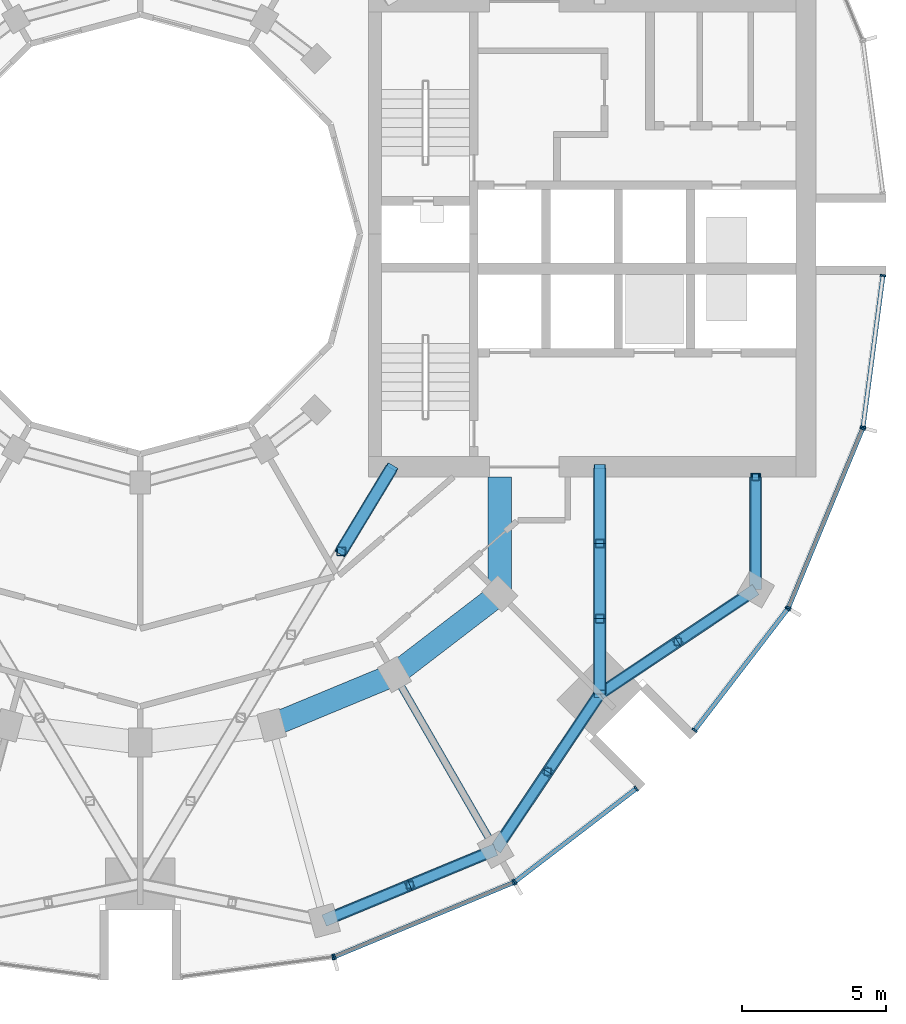
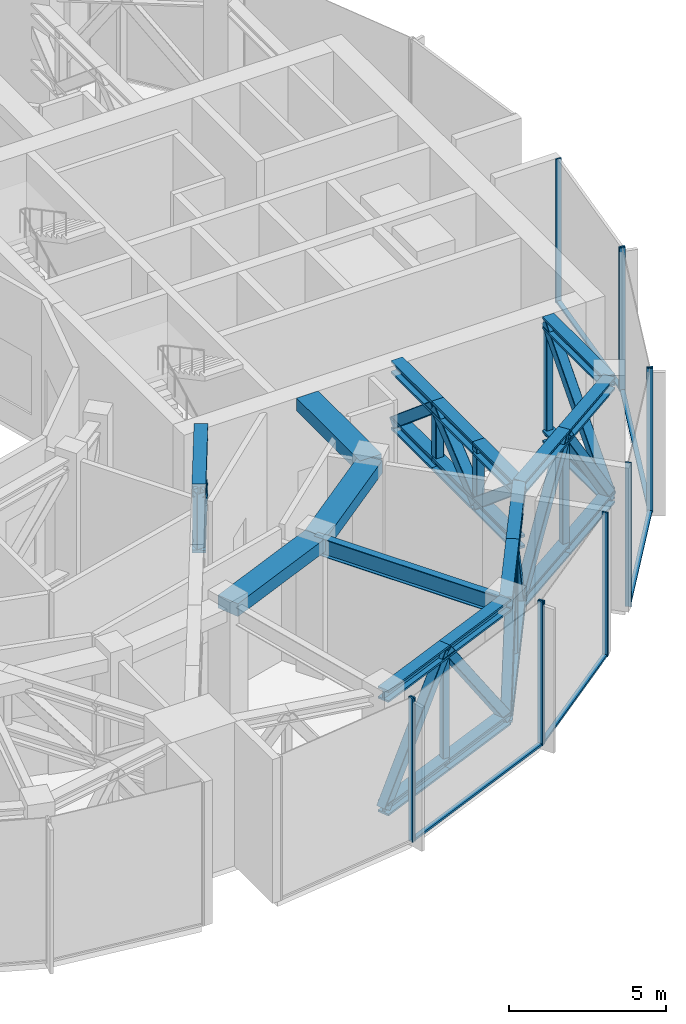
# One storey, part 5 of 18: 56 members, 4 beams, 6 elements without a shape of their own.
"""IFC4 building model written with IfcOpenShell, lengths in metres."""

import ifcopenshell
import ifcopenshell.guid

model = None  # the IFC model being written
_history = None  # IfcOwnerHistory: only IFC2X3 demands one
_inside = {}  # id of a spatial element -> (the spatial element, [elements in it])
_under = {}  # id of a project, library or spatial element -> (it, [spatial elements below it])
_declared = {}  # id of a project -> (the project, [libraries it declares])
_typed = {}  # id of a type object -> (the type object, [elements of that type])
_made_of = {}  # id of a material, layer set ... -> (it, [elements and type objects made of it])


def new_model(schema):
    """Start an empty IFC model of exactly this schema.

    Asked for "IFC4X3", IfcOpenShell would pick the latest addendum, in which some entities
    have other attributes; the version numbers below select the first issue.
    IFC2X3 requires an IfcOwnerHistory on every rooted entity: one is made here for all.
    """
    global model, _history
    if schema == "IFC4X3":
        model = ifcopenshell.file(schema_version=(4, 3, 0, 0))
    else:
        model = ifcopenshell.file(schema=schema)
    _inside.clear()
    _under.clear()
    _declared.clear()
    _typed.clear()
    _made_of.clear()
    _history = None
    if model.schema == "IFC2X3":
        org = make("IfcOrganization", Name="unknown")
        user = make(
            "IfcPersonAndOrganization",
            ThePerson=make("IfcPerson", FamilyName="unknown"),
            TheOrganization=org,
        )
        app = make(
            "IfcApplication",
            ApplicationDeveloper=org,
            Version="unknown",
            ApplicationFullName="unknown",
            ApplicationIdentifier="unknown",
        )
        _history = make(
            "IfcOwnerHistory",
            OwningUser=user,
            OwningApplication=app,
            ChangeAction="ADDED",
            CreationDate=0,
        )
    return model


def make(cls, **values):
    """One entity of the class cls with the attributes given. An attribute that is None is left unset."""
    return model.create_entity(
        cls, **{name: value for name, value in values.items() if value is not None}
    )


def rooted(cls, **values):
    """An entity with a GlobalId (a new one), such as an element, a storey or a relation."""
    return make(cls, GlobalId=ifcopenshell.guid.new(), OwnerHistory=_history, **values)


def si_unit(unit_type, name, prefix=None):
    """IfcSIUnit, for example si_unit("LENGTHUNIT", "METRE", prefix="MILLI")."""
    return make("IfcSIUnit", UnitType=unit_type, Prefix=prefix, Name=name)


def assignment(units):
    """IfcUnitAssignment: the units of a project."""
    return None if units is None else make("IfcUnitAssignment", Units=units)


def point(xyz):
    """IfcCartesianPoint."""
    return None if xyz is None else make("IfcCartesianPoint", Coordinates=xyz)


def direction(xyz):
    """IfcDirection."""
    return None if xyz is None else make("IfcDirection", DirectionRatios=xyz)


def frame(location, z_axis=None, x_axis=None):
    """IfcAxis2Placement3D, a coordinate frame: its origin and axes. An axis left out is left unset."""
    return make(
        "IfcAxis2Placement3D",
        Location=point(location),
        Axis=direction(z_axis),
        RefDirection=direction(x_axis),
    )


def frame_2d(location, x_axis=None):
    """IfcAxis2Placement2D, a coordinate frame in the plane: its origin and x axis."""
    return make(
        "IfcAxis2Placement2D", Location=point(location), RefDirection=direction(x_axis)
    )


def origin():
    """The frame at (0, 0, 0) with its axes left unset."""
    return frame((0.0, 0.0, 0.0))


def origin_2d():
    """The frame at (0, 0) in the plane with its x axis left unset."""
    return frame_2d((0.0, 0.0))


def place(relative_to, where):
    """IfcLocalPlacement: puts the frame where relative to a parent placement (None: the world)."""
    return make(
        "IfcLocalPlacement", PlacementRelTo=relative_to, RelativePlacement=where
    )


def context(
    kind, dimensions, precision=None, world=None, true_north=None, identifier=None
):
    """IfcGeometricRepresentationContext, for example the 3D "Model" context."""
    return make(
        "IfcGeometricRepresentationContext",
        ContextIdentifier=identifier,
        ContextType=kind,
        CoordinateSpaceDimension=dimensions,
        Precision=precision,
        WorldCoordinateSystem=world,
        TrueNorth=true_north,
    )


def subcontext(parent, identifier, kind, view, scale=None):
    """IfcGeometricRepresentationSubContext, for example "Body" below "Model"."""
    return make(
        "IfcGeometricRepresentationSubContext",
        ContextIdentifier=identifier,
        ContextType=kind,
        ParentContext=parent,
        TargetScale=scale,
        TargetView=view,
    )


def project(units=None, contexts=None):
    """IfcProject with its units and contexts."""
    return rooted(
        "IfcProject",
        Name="project",
        RepresentationContexts=contexts,
        UnitsInContext=assignment(units),
    )


def spatial(cls, under=None, at=None, **own):
    """A site, building, storey or space (cls), placed at a placement, below another one or the project."""
    s = rooted(cls, ObjectPlacement=at, **own)
    if under is not None:
        _under.setdefault(under.id(), (under, []))[1].append(s)
    return s


def profile(cls, at=None, kind="AREA", **sizes):
    """A parametric profile (cls). Its sizes go by their IFC names, for example OverallWidth=200.0."""
    return make(cls, ProfileType=kind, Position=at, **sizes)


def rectangle(**sizes):
    """IfcRectangleProfileDef."""
    return profile("IfcRectangleProfileDef", **sizes)


def hollow_rectangle(**sizes):
    """IfcRectangleHollowProfileDef."""
    return profile("IfcRectangleHollowProfileDef", **sizes)


def i_section(**sizes):
    """IfcIShapeProfileDef."""
    return profile("IfcIShapeProfileDef", **sizes)


def extrude(swept, where, along, depth):
    """IfcExtrudedAreaSolid: the profile swept, set in the frame where, extruded along a direction by depth."""
    return make(
        "IfcExtrudedAreaSolid",
        SweptArea=swept,
        Position=where,
        ExtrudedDirection=direction(along),
        Depth=depth,
    )


def shape(context_of_items, identifier, shape_type, items):
    """IfcShapeRepresentation: the items that make up one representation, for example the "Body"."""
    return make(
        "IfcShapeRepresentation",
        ContextOfItems=context_of_items,
        RepresentationIdentifier=identifier,
        RepresentationType=shape_type,
        Items=items,
    )


def material(Name=None, Category=None):
    """IfcMaterial."""
    return make("IfcMaterial", Name=Name, Category=Category)


def layer(
    of_material, thickness, ventilated=None, Name=None, Category=None, Priority=None
):
    """IfcMaterialLayer: one layer of a wall or slab, of a material (None: an air gap)."""
    return make(
        "IfcMaterialLayer",
        Material=of_material,
        LayerThickness=thickness,
        IsVentilated=ventilated,
        Name=Name,
        Category=Category,
        Priority=Priority,
    )


def layer_set(layers, Name=None):
    """IfcMaterialLayerSet."""
    return make("IfcMaterialLayerSet", MaterialLayers=layers, LayerSetName=Name)


def material_profile(
    of_material, cross_section, Name=None, Category=None, Priority=None
):
    """IfcMaterialProfile: a cross section and its material."""
    return make(
        "IfcMaterialProfile",
        Name=Name,
        Material=of_material,
        Profile=cross_section,
        Priority=Priority,
        Category=Category,
    )


def profile_set(profiles, Name=None, composite=None):
    """IfcMaterialProfileSet."""
    return make(
        "IfcMaterialProfileSet",
        Name=Name,
        MaterialProfiles=profiles,
        CompositeProfile=composite,
    )


def made_of(thing, what):
    """Note that an element or type object is made of a material, layer set ...; save() writes the relation."""
    if what is not None:
        _made_of.setdefault(what.id(), (what, []))[1].append(thing)
    return thing


def type_object(cls, material=None, **own):
    """A type object (cls), such as IfcWallType, which elements share."""
    return made_of(rooted(cls, **own), material)


def element(
    cls,
    number,
    at=None,
    inside=None,
    cuts=None,
    type_object=None,
    material=None,
    context=None,
    identifier="Body",
    shape_type=None,
    held_by="IfcProductDefinitionShape",
    body=None,
    shapes=None,
    **own,
):
    """One element of the class cls, such as IfcWall. Its Tag is "e" and its number.

    at: its placement. inside: the storey or other place that contains it. cuts: it is an
    opening in that element (IfcRelVoidsElement). A single representation is given by context,
    identifier, shape_type and body (its items); several are given by shapes. held_by: the class
    of the entity that holds the representations. save() writes the other relations.
    """
    e = rooted(cls, Tag="e%d" % number, ObjectPlacement=at, **own)
    if body is not None:
        shapes = [shape(context, identifier, shape_type, body)]
    if shapes is not None:
        e.Representation = make(held_by, Representations=shapes)
    if inside is not None:
        _inside.setdefault(inside.id(), (inside, []))[1].append(e)
    if cuts is not None:
        rooted(
            "IfcRelVoidsElement", RelatingBuildingElement=cuts, RelatedOpeningElement=e
        )
    if type_object is not None:
        _typed.setdefault(type_object.id(), (type_object, []))[1].append(e)
    return made_of(e, material)


def aggregate(whole, parts):
    """IfcRelAggregates: a whole, such as a stair, and the parts it consists of."""
    return rooted("IfcRelAggregates", RelatingObject=whole, RelatedObjects=parts)


def save(model, path):
    """Write the relations noted so far, then the file.

    IfcRelAggregates (storeys below a building ...), IfcRelContainedInSpatialStructure (elements
    in a storey), IfcRelDefinesByType, IfcRelAssociatesMaterial and IfcRelDeclares: one each for
    every whole, place, type object, material and project.
    """
    for whole, parts in _under.values():
        aggregate(whole, parts)
    for where, things in _inside.values():
        rooted(
            "IfcRelContainedInSpatialStructure",
            RelatedElements=things,
            RelatingStructure=where,
        )
    for kind, things in _typed.values():
        rooted("IfcRelDefinesByType", RelatedObjects=things, RelatingType=kind)
    for what, things in _made_of.values():
        rooted("IfcRelAssociatesMaterial", RelatedObjects=things, RelatingMaterial=what)
    for by, libraries in _declared.values():
        rooted("IfcRelDeclares", RelatingContext=by, RelatedDefinitions=libraries)
    model.write(path)


model = new_model("IFC4")

# Units and contexts
model_context = context("Model", 3, precision=1e-05, world=origin(), true_north=direction((0.0, 1.0)))
body_context = subcontext(model_context, "Body", "Model", "MODEL_VIEW")
ifc_project = project(units=[si_unit("LENGTHUNIT", "METRE"), si_unit("AREAUNIT", "SQUARE_METRE"), si_unit("VOLUMEUNIT", "CUBIC_METRE"), si_unit("PLANEANGLEUNIT", "RADIAN"), si_unit("MASSUNIT", "GRAM", prefix="KILO")], contexts=[model_context])

# Site, building, storey
site_placement = place(None, origin())
site = spatial("IfcSite", under=ifc_project, at=site_placement, CompositionType="ELEMENT")
building_placement = place(site_placement, origin())
building = spatial("IfcBuilding", under=site, at=building_placement, Name="Torre Brocal", CompositionType="ELEMENT")
storey_placement = place(building_placement, frame((0.0, 0.0, 109.0)))
storey = spatial("IfcBuildingStorey", under=building, at=storey_placement, Name="L25", CompositionType="ELEMENT", Elevation=109.0)

# Members
ifc_material_1 = material(Name="Steel A500 Grade C", Category="steel")
ifc_material_profile_1 = material_profile(ifc_material_1, hollow_rectangle(XDim=0.25390625, YDim=0.25390625, WallThickness=0.01171875, InnerFilletRadius=0.01171875, OuterFilletRadius=0.023681640625, at=origin_2d()), Name="HSS10X10X1/2")
ifc_profile_set_1 = profile_set([ifc_material_profile_1], Name="Steel A500 Grade C")
member_type_1 = type_object("IfcMemberType", Name="BELT 1 POST HSS10X10X1/2", PredefinedType="POST", material=ifc_profile_set_1)
for number, where, z_axis, x_axis, name in (
    (1, (89.33349609375, 52.467041015625, 0.63232421875), (0.0, 0.0, 1.0), (1.0, 0.0, 0.0), "Member BT1-P16"),
    (2, (94.10498046875, 56.392822265625, 0.63232421875), (0.0, 0.0, 1.0), (1.0, 0.0, 0.0), "Member BT1-P17"),
    (3, (98.607177734375, 60.89501953125, 0.63232421875), (0.0, 0.0, 1.0), (1.0, 0.0, 0.0), "Member BT1-P18"),
    (4, (101.30419921875, 66.60009765625, 0.63232421875), (0.0, 0.0, 1.0), (1.0, 0.0, 0.0), "Member BT1-P19"),
):
    element("IfcMember", number, at=place(storey_placement, frame(where, z_axis=z_axis, x_axis=x_axis)), inside=storey, type_object=member_type_1, Name=name, PredefinedType="POST", context=body_context, shape_type="SweptSolid", body=[
        extrude(hollow_rectangle(XDim=0.25390625, YDim=0.25390625, WallThickness=0.01171875, InnerFilletRadius=0.01171875, OuterFilletRadius=0.023681640625, at=origin_2d()), origin(), (0.0, 0.0, 1.0), 4.415283203125),
    ])

# Curtain wall, member
ifc_material_2 = material(Name="Aluminium and glass", Category="aluminium")
ifc_layer_1 = layer(ifc_material_2, 0.199951171875)
ifc_layer_set_1 = layer_set([ifc_layer_1], Name="Aluminium and glass")
curtain_wall_type_1 = type_object("IfcCurtainWallType", Name="CW-1 CURTAIN WALL 5600 HIGH", PredefinedType="NOTDEFINED", material=ifc_layer_set_1)
curtain_wall_1_placement = place(storey_placement, origin())
curtain_wall_1 = element("IfcCurtainWall", 5, at=curtain_wall_1_placement, inside=storey, type_object=curtain_wall_type_1, Name="CW-1 RUN 19", PredefinedType="NOTDEFINED")
ifc_material_3 = material(Name="Aluminium, dark anodised", Category="aluminium")
ifc_material_profile_2 = material_profile(ifc_material_3, rectangle(XDim=0.199951171875, YDim=0.06005859375, at=origin_2d()), Name="CW-1 MULLION 60X200")
ifc_profile_set_2 = profile_set([ifc_material_profile_2], Name="Aluminium, dark anodised")
member_type_2 = type_object("IfcMemberType", Name="CW-1 MULLION 60X200", PredefinedType="MULLION", material=ifc_profile_set_2)
member_1_placement = place(storey_placement, frame((86.67333984375, 49.9794921875, 0.0), z_axis=(0.0, 0.0, 1.0), x_axis=(-0.13052619222, 0.991444861374, 0.0)))
member_1 = element("IfcMember", 6, at=member_1_placement, type_object=member_type_2, Name="CW1-2 mullion 2", PredefinedType="MULLION", context=body_context, shape_type="SweptSolid", body=[
    extrude(rectangle(XDim=0.199951171875, YDim=0.06005859375, at=origin_2d()), origin(), (0.0, 0.0, 1.0), 5.60009765625),
])
aggregate(curtain_wall_1, [member_1])

# Curtain wall, members
curtain_wall_2_placement = place(storey_placement, origin())
curtain_wall_2 = element("IfcCurtainWall", 7, at=curtain_wall_2_placement, inside=storey, type_object=curtain_wall_type_1, Name="CW-1 RUN 20", PredefinedType="NOTDEFINED")
member_2_placement = place(storey_placement, frame((86.73095703125, 49.994873046875, 0.0), z_axis=(0.0, 0.0, 1.0), x_axis=(-0.382683432333, 0.923879532525, 0.0)))
member_2 = element("IfcMember", 8, at=member_2_placement, type_object=member_type_2, Name="CW1-2 mullion 1", PredefinedType="MULLION", context=body_context, shape_type="SweptSolid", body=[
    extrude(rectangle(XDim=0.199951171875, YDim=0.06005859375, at=origin_2d()), origin(), (0.0, 0.0, 1.0), 5.60009765625),
])
member_3_placement = place(storey_placement, frame((92.921875, 52.559326171875, 0.0), z_axis=(0.0, 0.0, 1.0), x_axis=(-0.382683432333, 0.923879532525, 0.0)))
member_3 = element("IfcMember", 9, at=member_3_placement, type_object=member_type_2, Name="CW1-2 mullion 2", PredefinedType="MULLION", context=body_context, shape_type="SweptSolid", body=[
    extrude(rectangle(XDim=0.199951171875, YDim=0.06005859375, at=origin_2d()), origin(), (0.0, 0.0, 1.0), 5.60009765625),
])

curtain_wall_3_placement = place(storey_placement, origin())
curtain_wall_3 = element("IfcCurtainWall", 10, at=curtain_wall_3_placement, inside=storey, type_object=curtain_wall_type_1, Name="CW-1 RUN 21", PredefinedType="NOTDEFINED")
member_4_placement = place(storey_placement, frame((92.973388671875, 52.5888671875, 0.0), z_axis=(0.0, 0.0, 1.0), x_axis=(-0.60876142905, 0.793353340259, 0.0)))
member_4 = element("IfcMember", 11, at=member_4_placement, type_object=member_type_2, Name="CW1-2 mullion 1", PredefinedType="MULLION", context=body_context, shape_type="SweptSolid", body=[
    extrude(rectangle(XDim=0.199951171875, YDim=0.06005859375, at=origin_2d()), origin(), (0.0, 0.0, 1.0), 5.60009765625),
])
member_5_placement = place(storey_placement, frame((97.16943359375, 55.80859375, 0.0), z_axis=(0.0, 0.0, 1.0), x_axis=(-0.60876142905, 0.793353340259, 0.0)))
member_5 = element("IfcMember", 12, at=member_5_placement, type_object=member_type_2, Name="CW1-2 mullion 2", PredefinedType="MULLION", context=body_context, shape_type="SweptSolid", body=[
    extrude(rectangle(XDim=0.199951171875, YDim=0.06005859375, at=origin_2d()), origin(), (0.0, 0.0, 1.0), 5.60009765625),
])

curtain_wall_4_placement = place(storey_placement, origin())
curtain_wall_4 = element("IfcCurtainWall", 13, at=curtain_wall_4_placement, inside=storey, type_object=curtain_wall_type_1, Name="CW-1 RUN 22", PredefinedType="NOTDEFINED")
member_6_placement = place(storey_placement, frame((99.19140625, 57.83056640625, 0.0), z_axis=(0.0, 0.0, 1.0), x_axis=(-0.793353340259, 0.60876142905, 0.0)))
member_6 = element("IfcMember", 14, at=member_6_placement, type_object=member_type_2, Name="CW1-2 mullion 1", PredefinedType="MULLION", context=body_context, shape_type="SweptSolid", body=[
    extrude(rectangle(XDim=0.199951171875, YDim=0.06005859375, at=origin_2d()), origin(), (0.0, 0.0, 1.0), 5.60009765625),
])
member_7_placement = place(storey_placement, frame((102.4111328125, 62.026611328125, 0.0), z_axis=(0.0, 0.0, 1.0), x_axis=(-0.793353340259, 0.60876142905, 0.0)))
member_7 = element("IfcMember", 15, at=member_7_placement, type_object=member_type_2, Name="CW1-2 mullion 2", PredefinedType="MULLION", context=body_context, shape_type="SweptSolid", body=[
    extrude(rectangle(XDim=0.199951171875, YDim=0.06005859375, at=origin_2d()), origin(), (0.0, 0.0, 1.0), 5.60009765625),
])

curtain_wall_5_placement = place(storey_placement, origin())
curtain_wall_5 = element("IfcCurtainWall", 16, at=curtain_wall_5_placement, inside=storey, type_object=curtain_wall_type_1, Name="CW-1 RUN 23", PredefinedType="NOTDEFINED")
member_8_placement = place(storey_placement, frame((102.440673828125, 62.078125, 0.0), z_axis=(0.0, 0.0, 1.0), x_axis=(-0.923879532525, 0.382683432333, 0.0)))
member_8 = element("IfcMember", 17, at=member_8_placement, type_object=member_type_2, Name="CW1-2 mullion 1", PredefinedType="MULLION", context=body_context, shape_type="SweptSolid", body=[
    extrude(rectangle(XDim=0.199951171875, YDim=0.06005859375, at=origin_2d()), origin(), (0.0, 0.0, 1.0), 5.60009765625),
])
member_9_placement = place(storey_placement, frame((105.005126953125, 68.26904296875, 0.0), z_axis=(0.0, 0.0, 1.0), x_axis=(-0.923879532525, 0.382683432333, 0.0)))
member_9 = element("IfcMember", 18, at=member_9_placement, type_object=member_type_2, Name="CW1-2 mullion 2", PredefinedType="MULLION", context=body_context, shape_type="SweptSolid", body=[
    extrude(rectangle(XDim=0.199951171875, YDim=0.06005859375, at=origin_2d()), origin(), (0.0, 0.0, 1.0), 5.60009765625),
])

# Member
ifc_material_4 = material(Name="Aluminium, dark anodised", Category="aluminium")
ifc_material_profile_3 = material_profile(ifc_material_4, rectangle(XDim=0.159912109375, YDim=0.080078125, at=origin_2d()), Name="CW-1 TRANSOM 160X80")
ifc_profile_set_3 = profile_set([ifc_material_profile_3], Name="Aluminium, dark anodised")
member_type_3 = type_object("IfcMemberType", Name="CW-1 TRANSOM 160X80", PredefinedType="USERDEFINED", material=ifc_profile_set_3)
member_10_placement = place(storey_placement, frame((86.758544921875, 50.00634765625, 0.0400390625), z_axis=(0.923887344364, 0.38266457234, 0.0), x_axis=(-0.38266457234, 0.923887344364, 0.0)))
member_10 = element("IfcMember", 19, at=member_10_placement, type_object=member_type_3, Name="CW1-2 transom 1.1", ObjectType="TRANSOM", PredefinedType="USERDEFINED", context=body_context, shape_type="SweptSolid", body=[
    extrude(rectangle(XDim=0.159912109375, YDim=0.080078125, at=origin_2d()), origin(), (0.0, 0.0, 1.0), 6.640869140625),
])

aggregate(curtain_wall_2, [member_2, member_3, member_10])

member_11_placement = place(storey_placement, frame((92.9970703125, 52.607177734375, 0.0400390625), z_axis=(0.79336281513, 0.60874908096, 0.0), x_axis=(-0.60874908096, 0.79336281513, 0.0)))
member_11 = element("IfcMember", 20, at=member_11_placement, type_object=member_type_3, Name="CW1-2 transom 1.1", ObjectType="TRANSOM", PredefinedType="USERDEFINED", context=body_context, shape_type="SweptSolid", body=[
    extrude(rectangle(XDim=0.159912109375, YDim=0.080078125, at=origin_2d()), origin(), (0.0, 0.0, 1.0), 5.22900390625),
])

aggregate(curtain_wall_3, [member_4, member_5, member_11])

member_12_placement = place(storey_placement, frame((99.209716796875, 57.8544921875, 0.0400390625), z_axis=(0.60874908096, 0.79336281513, 0.0), x_axis=(-0.79336281513, 0.60874908096, 0.0)))
member_12 = element("IfcMember", 21, at=member_12_placement, type_object=member_type_3, Name="CW1-2 transom 1.1", ObjectType="TRANSOM", PredefinedType="USERDEFINED", context=body_context, shape_type="SweptSolid", body=[
    extrude(rectangle(XDim=0.159912109375, YDim=0.080078125, at=origin_2d()), origin(), (0.0, 0.0, 1.0), 5.22900390625),
])

aggregate(curtain_wall_4, [member_6, member_7, member_12])

member_13_placement = place(storey_placement, frame((102.452392578125, 62.10595703125, 0.0400390625), z_axis=(0.38266457234, 0.923887344364, 0.0), x_axis=(-0.923887344364, 0.38266457234, 0.0)))
member_13 = element("IfcMember", 22, at=member_13_placement, type_object=member_type_3, Name="CW1-2 transom 1.1", ObjectType="TRANSOM", PredefinedType="USERDEFINED", context=body_context, shape_type="SweptSolid", body=[
    extrude(rectangle(XDim=0.159912109375, YDim=0.080078125, at=origin_2d()), origin(), (0.0, 0.0, 1.0), 6.640869140625),
])

aggregate(curtain_wall_5, [member_8, member_9, member_13])

# Curtain wall, members
ifc_material_5 = material(Name="Aluminium and glass", Category="aluminium")
ifc_layer_2 = layer(ifc_material_5, 0.199951171875)
ifc_layer_set_2 = layer_set([ifc_layer_2], Name="Aluminium and glass")
curtain_wall_type_2 = type_object("IfcCurtainWallType", Name="CW-1B CURTAIN WALL 5600 HIGH", PredefinedType="NOTDEFINED", material=ifc_layer_set_2)
curtain_wall_6_placement = place(storey_placement, origin())
curtain_wall_6 = element("IfcCurtainWall", 23, at=curtain_wall_6_placement, inside=storey, type_object=curtain_wall_type_2, Name="CW-1B RUN 24", PredefinedType="NOTDEFINED")
ifc_material_6 = material(Name="Aluminium, dark anodised", Category="aluminium")
ifc_material_profile_4 = material_profile(ifc_material_6, rectangle(XDim=0.199951171875, YDim=0.06005859375, at=origin_2d()), Name="CW-1B MULLION 60X200")
ifc_profile_set_4 = profile_set([ifc_material_profile_4], Name="Aluminium, dark anodised")
member_type_4 = type_object("IfcMemberType", Name="CW-1B MULLION 60X200", PredefinedType="MULLION", material=ifc_profile_set_4)
member_14_placement = place(storey_placement, frame((105.0205078125, 68.32666015625, 0.0), z_axis=(0.0, 0.0, 1.0), x_axis=(-0.991444861374, 0.13052619222, 0.0)))
member_14 = element("IfcMember", 24, at=member_14_placement, type_object=member_type_4, Name="CW1B-2 mullion 1", PredefinedType="MULLION", context=body_context, shape_type="SweptSolid", body=[
    extrude(rectangle(XDim=0.199951171875, YDim=0.06005859375, at=origin_2d()), origin(), (0.0, 0.0, 1.0), 5.60009765625),
])
member_15_placement = place(storey_placement, frame((105.7109375, 73.5703125, 0.0), z_axis=(0.0, 0.0, 1.0), x_axis=(-0.991444861374, 0.13052619222, 0.0)))
member_15 = element("IfcMember", 25, at=member_15_placement, type_object=member_type_4, Name="CW1B-2 mullion 2", PredefinedType="MULLION", context=body_context, shape_type="SweptSolid", body=[
    extrude(rectangle(XDim=0.199951171875, YDim=0.06005859375, at=origin_2d()), origin(), (0.0, 0.0, 1.0), 5.60009765625),
])
ifc_material_7 = material(Name="Aluminium, dark anodised", Category="aluminium")
ifc_material_profile_5 = material_profile(ifc_material_7, rectangle(XDim=0.159912109375, YDim=0.080078125, at=origin_2d()), Name="CW-1B TRANSOM 160X80")
ifc_profile_set_5 = profile_set([ifc_material_profile_5], Name="Aluminium, dark anodised")
member_type_5 = type_object("IfcMemberType", Name="CW-1B TRANSOM 160X80", PredefinedType="USERDEFINED", material=ifc_profile_set_5)
member_16_placement = place(storey_placement, frame((105.0244140625, 68.356201171875, 0.0400390625), z_axis=(0.130542677827, 0.991442690863, 0.0), x_axis=(-0.991442690863, 0.130542677827, 0.0)))
member_16 = element("IfcMember", 26, at=member_16_placement, type_object=member_type_5, Name="CW1B-2 transom 1.1", ObjectType="TRANSOM", PredefinedType="USERDEFINED", context=body_context, shape_type="SweptSolid", body=[
    extrude(rectangle(XDim=0.159912109375, YDim=0.080078125, at=origin_2d()), origin(), (0.0, 0.0, 1.0), 5.22900390625),
])
aggregate(curtain_wall_6, [member_14, member_15, member_16])

# Members
ifc_material_8 = material(Name="Steel A500 Grade C", Category="steel")
ifc_material_profile_6 = material_profile(ifc_material_8, hollow_rectangle(XDim=0.3046875, YDim=0.3046875, WallThickness=0.014892578125, InnerFilletRadius=0.014892578125, OuterFilletRadius=0.029541015625, at=origin_2d()), Name="HSS12X12X5/8")
ifc_profile_set_6 = profile_set([ifc_material_profile_6], Name="Steel A500 Grade C")
member_type_6 = type_object("IfcMemberType", Name="OUTRIGGER 1 POST HSS12X12X5/8", PredefinedType="POST", material=ifc_profile_set_6)
member_17_placement = place(storey_placement, frame((86.9599609375, 64.02001953125, 2.865478515625), z_axis=(0.0, 0.0, 1.0), x_axis=(1.0, 0.0, 0.0)))
element("IfcMember", 27, at=member_17_placement, inside=storey, type_object=member_type_6, Name="Member OT1-P15", PredefinedType="POST", context=body_context, shape_type="SweptSolid", body=[
    extrude(hollow_rectangle(XDim=0.3046875, YDim=0.3046875, WallThickness=0.014892578125, InnerFilletRadius=0.014892578125, OuterFilletRadius=0.029541015625, at=origin_2d()), origin(), (0.0, 0.0, 1.0), 2.149169921875),
])
for number, where, z_axis, x_axis, name in (
    (28, (95.909912109375, 64.296630859375, 2.848876953125), (0.0, 0.0, 1.0), (1.0, 0.0, 0.0), "Member OT1-P23"),
    (29, (95.909912109375, 61.693359375, 2.848876953125), (0.0, 0.0, 1.0), (1.0, 0.0, 0.0), "Member OT1-P24"),
):
    element("IfcMember", number, at=place(storey_placement, frame(where, z_axis=z_axis, x_axis=x_axis)), inside=storey, type_object=member_type_6, Name=name, PredefinedType="POST", context=body_context, shape_type="SweptSolid", body=[
        extrude(hollow_rectangle(XDim=0.3046875, YDim=0.3046875, WallThickness=0.014892578125, InnerFilletRadius=0.014892578125, OuterFilletRadius=0.029541015625, at=origin_2d()), origin(), (0.0, 0.0, 1.0), 2.18212890625),
    ])

# Beams
ifc_material_9 = material(Name="Steel A992", Category="steel")
ifc_material_profile_7 = material_profile(ifc_material_9, i_section(OverallWidth=0.256591796875, OverallDepth=0.693359375, WebThickness=0.014404296875, FlangeThickness=0.023681640625, at=origin_2d()), Name="W27X114")
ifc_profile_set_7 = profile_set([ifc_material_profile_7], Name="Steel A992")
beam_type_1 = type_object("IfcBeamType", Name="PLANT FLOOR BEAM TOP 5280 W27X114", PredefinedType="BEAM", material=ifc_profile_set_7)
beam_1_placement = place(storey_placement, frame((88.800048828125, 59.758056640625, 4.933349609375), z_axis=(0.499995173006, -0.866028190633, 0.0), x_axis=(0.866028190633, 0.499995173006, 0.0)))
element("IfcBeam", 30, at=beam_1_placement, inside=storey, type_object=beam_type_1, Name="Beam SF-01", PredefinedType="BEAM", context=body_context, shape_type="SweptSolid", body=[
    extrude(i_section(OverallWidth=0.256591796875, OverallDepth=0.693359375, WebThickness=0.014404296875, FlangeThickness=0.023681640625, at=origin_2d()), origin(), (0.0, 0.0, 1.0), 7.0),
])
ifc_material_10 = material(Name="Concrete C50", Category="concrete")
ifc_material_profile_8 = material_profile(ifc_material_10, rectangle(XDim=0.800048828125, YDim=0.5, at=origin_2d()), Name="RC 800X500")
ifc_profile_set_8 = profile_set([ifc_material_profile_8], Name="Concrete C50")
beam_type_2 = type_object("IfcBeamType", Name="RC BEAM 800X500 C50 TOP 5280", PredefinedType="BEAM", material=ifc_profile_set_8)
beam_2_placement = place(storey_placement, frame((84.55517578125, 57.999755859375, 5.030029296875), z_axis=(0.923878240166, 0.382686552348, 0.0), x_axis=(-0.382686552348, 0.923878240166, 0.0)))
element("IfcBeam", 31, at=beam_2_placement, inside=storey, type_object=beam_type_2, Name="Beam BT-27", PredefinedType="BEAM", context=body_context, shape_type="SweptSolid", body=[
    extrude(rectangle(XDim=0.800048828125, YDim=0.5, at=origin_2d()), origin(), (0.0, 0.0, 1.0), 4.5947265625),
])
beam_3_placement = place(storey_placement, frame((88.800048828125, 59.758056640625, 5.030029296875), z_axis=(0.793358265959, 0.6087550097, 0.0), x_axis=(-0.6087550097, 0.793358265959, 0.0)))
element("IfcBeam", 32, at=beam_3_placement, inside=storey, type_object=beam_type_2, Name="Beam BT-27", PredefinedType="BEAM", context=body_context, shape_type="SweptSolid", body=[
    extrude(rectangle(XDim=0.800048828125, YDim=0.5, at=origin_2d()), origin(), (0.0, 0.0, 1.0), 4.594482421875),
])
beam_4_placement = place(storey_placement, frame((92.445068359375, 62.554931640625, 5.030029296875), z_axis=(0.0, 1.0, 0.0), x_axis=(-1.0, 0.0, 0.0)))
element("IfcBeam", 33, at=beam_4_placement, inside=storey, type_object=beam_type_2, Name="Beam BT-27", PredefinedType="BEAM", context=body_context, shape_type="SweptSolid", body=[
    extrude(rectangle(XDim=0.800048828125, YDim=0.5, at=origin_2d()), origin(), (0.0, 0.0, 1.0), 4.045166015625),
])

# Members
ifc_material_11 = material(Name="Steel A992", Category="steel")
ifc_material_profile_9 = material_profile(ifc_material_11, i_section(OverallWidth=0.421630859375, OverallDepth=0.46484375, WebThickness=0.044921875, FlangeThickness=0.072509765625, at=origin_2d()), Name="W14X398")
ifc_profile_set_9 = profile_set([ifc_material_profile_9], Name="Steel A992")
member_type_7 = type_object("IfcMemberType", Name="TRUSS BOTTOM CHORD W14X398", PredefinedType="CHORD", material=ifc_profile_set_9)
for number, where, z_axis, x_axis, name in (
    (34, (86.366943359375, 51.23828125, 0.63232421875), (0.923882462513, 0.382676358639, 0.0), (-0.382676358639, 0.923882462513, 0.0), "Member BT1-C58"),
    (35, (89.33349609375, 52.467041015625, 0.63232421875), (0.923882462513, 0.382676358639, 0.0), (-0.382676358639, 0.923882462513, 0.0), "Member BT1-C60"),
):
    element("IfcMember", number, at=place(storey_placement, frame(where, z_axis=z_axis, x_axis=x_axis)), inside=storey, type_object=member_type_7, Name=name, PredefinedType="CHORD", context=body_context, shape_type="SweptSolid", body=[
        extrude(i_section(OverallWidth=0.421630859375, OverallDepth=0.46484375, WebThickness=0.044921875, FlangeThickness=0.072509765625, at=origin_2d()), origin(), (0.0, 0.0, 1.0), 3.2109375),
    ])
for number, where, z_axis, x_axis, name in (
    (36, (92.300048828125, 53.69580078125, 0.63232421875), (0.556174988166, 0.831065209559, 0.0), (-0.831065209559, 0.556174988166, 0.0), "Member BT1-C62"),
    (37, (94.10498046875, 56.392822265625, 0.63232421875), (0.556140217242, 0.831088478302, 0.0), (-0.831088478302, 0.556140217242, 0.0), "Member BT1-C64"),
    (38, (95.909912109375, 59.090087890625, 0.63232421875), (0.831088478302, 0.556140217242, 0.0), (-0.556140217242, 0.831088478302, 0.0), "Member BT1-C66"),
    (39, (98.607177734375, 60.89501953125, 0.63232421875), (0.831065209559, 0.556174988166, 0.0), (-0.556174988166, 0.831065209559, 0.0), "Member BT1-C68"),
):
    element("IfcMember", number, at=place(storey_placement, frame(where, z_axis=z_axis, x_axis=x_axis)), inside=storey, type_object=member_type_7, Name=name, PredefinedType="CHORD", context=body_context, shape_type="SweptSolid", body=[
        extrude(i_section(OverallWidth=0.421630859375, OverallDepth=0.46484375, WebThickness=0.044921875, FlangeThickness=0.072509765625, at=origin_2d()), origin(), (0.0, 0.0, 1.0), 3.245361328125),
    ])
member_18_placement = place(storey_placement, frame((101.30419921875, 62.699951171875, 0.63232421875), z_axis=(0.0, 1.0, 0.0), x_axis=(-1.0, 0.0, 0.0)))
element("IfcMember", 40, at=member_18_placement, inside=storey, type_object=member_type_7, Name="Member BT1-C70", PredefinedType="CHORD", context=body_context, shape_type="SweptSolid", body=[
    extrude(i_section(OverallWidth=0.421630859375, OverallDepth=0.46484375, WebThickness=0.044921875, FlangeThickness=0.072509765625, at=origin_2d()), origin(), (0.0, 0.0, 1.0), 3.900146484375),
])
ifc_material_12 = material(Name="Steel A992", Category="steel")
ifc_material_profile_10 = material_profile(ifc_material_12, i_section(OverallWidth=0.431884765625, OverallDepth=0.497802734375, WebThickness=0.0556640625, FlangeThickness=0.0888671875, at=origin_2d()), Name="W14X500")
ifc_profile_set_10 = profile_set([ifc_material_profile_10], Name="Steel A992")
member_type_8 = type_object("IfcMemberType", Name="TRUSS BOTTOM CHORD W14X500", PredefinedType="CHORD", material=ifc_profile_set_10)
for number, where, z_axis, x_axis, name in (
    (41, (95.909912109375, 66.89990234375, 2.848876953125), (0.0, -1.0, 0.0), (1.0, 0.0, 0.0), "Member OT1-C60"),
    (42, (95.909912109375, 64.296630859375, 2.848876953125), (0.0, -1.0, 0.0), (1.0, 0.0, 0.0), "Member OT1-C62"),
    (43, (95.909912109375, 61.693359375, 2.848876953125), (0.0, -1.0, 0.0), (1.0, 0.0, 0.0), "Member OT1-C64"),
):
    element("IfcMember", number, at=place(storey_placement, frame(where, z_axis=z_axis, x_axis=x_axis)), inside=storey, type_object=member_type_8, Name=name, PredefinedType="CHORD", context=body_context, shape_type="SweptSolid", body=[
        extrude(i_section(OverallWidth=0.431884765625, OverallDepth=0.497802734375, WebThickness=0.0556640625, FlangeThickness=0.0888671875, at=origin_2d()), origin(), (0.0, 0.0, 1.0), 2.603271484375),
    ])
ifc_material_13 = material(Name="Steel A992", Category="steel")
ifc_material_profile_11 = material_profile(ifc_material_13, i_section(OverallWidth=0.44189453125, OverallDepth=0.531005859375, WebThickness=0.06591796875, FlangeThickness=0.105712890625, at=origin_2d()), Name="W14X605")
ifc_profile_set_11 = profile_set([ifc_material_profile_11], Name="Steel A992")
member_type_9 = type_object("IfcMemberType", Name="TRUSS BOTTOM CHORD W14X605", PredefinedType="CHORD", material=ifc_profile_set_11)
member_19_placement = place(storey_placement, frame((88.699951171875, 66.89990234375, 2.865478515625), z_axis=(-0.517128928912, -0.855907513042, 0.0), x_axis=(0.855907513042, -0.517128928912, 0.0)))
element("IfcMember", 44, at=member_19_placement, inside=storey, type_object=member_type_9, Name="Member OT1-C40", PredefinedType="CHORD", context=body_context, shape_type="SweptSolid", body=[
    extrude(i_section(OverallWidth=0.44189453125, OverallDepth=0.531005859375, WebThickness=0.06591796875, FlangeThickness=0.105712890625, at=origin_2d()), origin(), (0.0, 0.0, 1.0), 3.36474609375),
])
ifc_material_14 = material(Name="Steel A500 Grade C", Category="steel")
ifc_material_profile_12 = material_profile(ifc_material_14, hollow_rectangle(XDim=0.355712890625, YDim=0.355712890625, WallThickness=0.014892578125, InnerFilletRadius=0.014892578125, OuterFilletRadius=0.029541015625, at=origin_2d()), Name="HSS14X14X5/8")
ifc_profile_set_12 = profile_set([ifc_material_profile_12], Name="Steel A500 Grade C")
member_type_10 = type_object("IfcMemberType", Name="TRUSS DIAGONAL HSS14X14X5/8", PredefinedType="BRACE", material=ifc_profile_set_12)
for number, where, z_axis, x_axis, name in (
    (45, (86.366943359375, 51.23828125, 0.63232421875), (0.543384725643, 0.225072448701, 0.80874930156), (-0.382676358639, 0.923882462513, 0.0), "Member BT1-D29"),
    (46, (89.33349609375, 52.467041015625, 5.047607421875), (0.543384725643, 0.225072448701, -0.80874930156), (-0.382676358639, 0.923882462513, 0.0), "Member BT1-D30"),
):
    element("IfcMember", number, at=place(storey_placement, frame(where, z_axis=z_axis, x_axis=x_axis)), inside=storey, type_object=member_type_10, Name=name, PredefinedType="BRACE", context=body_context, shape_type="SweptSolid", body=[
        extrude(hollow_rectangle(XDim=0.355712890625, YDim=0.355712890625, WallThickness=0.014892578125, InnerFilletRadius=0.014892578125, OuterFilletRadius=0.029541015625, at=origin_2d()), origin(), (0.0, 0.0, 1.0), 5.45947265625),
    ])
for number, where, z_axis, x_axis, name in (
    (47, (92.300048828125, 53.69580078125, 0.63232421875), (0.329388867078, 0.492189749034, 0.805761891126), (-0.831065209559, 0.556174988166, 0.0), "Member BT1-D31"),
    (48, (94.10498046875, 56.392822265625, 5.047607421875), (0.329381643787, 0.492223508801, -0.805744221276), (-0.831088478302, 0.556140217242, 0.0), "Member BT1-D32"),
    (49, (95.909912109375, 59.090087890625, 0.63232421875), (0.492223508801, 0.329381643787, 0.805744221276), (-0.556140217242, 0.831088478302, 0.0), "Member BT1-D33"),
    (50, (98.607177734375, 60.89501953125, 5.047607421875), (0.492189749034, 0.329388867078, -0.805761891126), (-0.556174988166, 0.831065209559, 0.0), "Member BT1-D34"),
):
    element("IfcMember", number, at=place(storey_placement, frame(where, z_axis=z_axis, x_axis=x_axis)), inside=storey, type_object=member_type_10, Name=name, PredefinedType="BRACE", context=body_context, shape_type="SweptSolid", body=[
        extrude(hollow_rectangle(XDim=0.355712890625, YDim=0.355712890625, WallThickness=0.014892578125, InnerFilletRadius=0.014892578125, OuterFilletRadius=0.029541015625, at=origin_2d()), origin(), (0.0, 0.0, 1.0), 5.479736328125),
    ])
member_20_placement = place(storey_placement, frame((101.30419921875, 62.699951171875, 0.63232421875), z_axis=(0.0, 0.662032730549, 0.749474925319), x_axis=(-1.0, 0.0, 0.0)))
element("IfcMember", 51, at=member_20_placement, inside=storey, type_object=member_type_10, Name="Member BT1-D35", PredefinedType="BRACE", context=body_context, shape_type="SweptSolid", body=[
    extrude(hollow_rectangle(XDim=0.355712890625, YDim=0.355712890625, WallThickness=0.014892578125, InnerFilletRadius=0.014892578125, OuterFilletRadius=0.029541015625, at=origin_2d()), origin(), (0.0, 0.0, 1.0), 5.89111328125),
])
ifc_material_15 = material(Name="Steel A500 Grade C", Category="steel")
ifc_material_profile_13 = material_profile(ifc_material_15, hollow_rectangle(XDim=0.406494140625, YDim=0.406494140625, WallThickness=0.017578125, InnerFilletRadius=0.017578125, OuterFilletRadius=0.035400390625, at=origin_2d()), Name="HSS16X16X3/4")
ifc_profile_set_13 = profile_set([ifc_material_profile_13], Name="Steel A500 Grade C")
member_type_11 = type_object("IfcMemberType", Name="TRUSS DIAGONAL HSS16X16X3/4", PredefinedType="BRACE", material=ifc_profile_set_13)
member_21_placement = place(storey_placement, frame((88.699951171875, 66.89990234375, 2.865478515625), z_axis=(-0.435812440092, -0.72131942519, 0.538298991179), x_axis=(0.855907513042, -0.517128928912, 0.0)))
element("IfcMember", 52, at=member_21_placement, inside=storey, type_object=member_type_11, Name="Member OT1-D20", PredefinedType="BRACE", context=body_context, shape_type="SweptSolid", body=[
    extrude(hollow_rectangle(XDim=0.406494140625, YDim=0.406494140625, WallThickness=0.017578125, InnerFilletRadius=0.017578125, OuterFilletRadius=0.035400390625, at=origin_2d()), origin(), (0.0, 0.0, 1.0), 3.992431640625),
])
for number, where, z_axis, x_axis, name in (
    (53, (95.909912109375, 66.89990234375, 2.848876953125), (0.0, -0.766374156466, 0.642394467832), (1.0, 0.0, 0.0), "Member OT1-D30"),
    (54, (95.909912109375, 64.296630859375, 5.031005859375), (0.0, -0.766374156466, -0.642394467832), (1.0, 0.0, 0.0), "Member OT1-D31"),
    (55, (95.909912109375, 61.693359375, 2.848876953125), (0.0, -0.766374156466, 0.642394467832), (1.0, 0.0, 0.0), "Member OT1-D32"),
):
    element("IfcMember", number, at=place(storey_placement, frame(where, z_axis=z_axis, x_axis=x_axis)), inside=storey, type_object=member_type_11, Name=name, PredefinedType="BRACE", context=body_context, shape_type="SweptSolid", body=[
        extrude(hollow_rectangle(XDim=0.406494140625, YDim=0.406494140625, WallThickness=0.017578125, InnerFilletRadius=0.017578125, OuterFilletRadius=0.035400390625, at=origin_2d()), origin(), (0.0, 0.0, 1.0), 3.39697265625),
    ])
ifc_material_16 = material(Name="Steel A992", Category="steel")
ifc_material_profile_14 = material_profile(ifc_material_16, i_section(OverallWidth=0.421630859375, OverallDepth=0.46484375, WebThickness=0.044921875, FlangeThickness=0.072509765625, at=origin_2d()), Name="W14X398")
ifc_profile_set_14 = profile_set([ifc_material_profile_14], Name="Steel A992")
member_type_12 = type_object("IfcMemberType", Name="TRUSS TOP CHORD W14X398", PredefinedType="CHORD", material=ifc_profile_set_14)
for number, where, z_axis, x_axis, name in (
    (56, (86.366943359375, 51.23828125, 5.047607421875), (0.923882462513, 0.382676358639, 0.0), (-0.382676358639, 0.923882462513, 0.0), "Member BT1-C57"),
    (57, (89.33349609375, 52.467041015625, 5.047607421875), (0.923882462513, 0.382676358639, 0.0), (-0.382676358639, 0.923882462513, 0.0), "Member BT1-C59"),
):
    element("IfcMember", number, at=place(storey_placement, frame(where, z_axis=z_axis, x_axis=x_axis)), inside=storey, type_object=member_type_12, Name=name, PredefinedType="CHORD", context=body_context, shape_type="SweptSolid", body=[
        extrude(i_section(OverallWidth=0.421630859375, OverallDepth=0.46484375, WebThickness=0.044921875, FlangeThickness=0.072509765625, at=origin_2d()), origin(), (0.0, 0.0, 1.0), 3.2109375),
    ])
for number, where, z_axis, x_axis, name in (
    (58, (92.300048828125, 53.69580078125, 5.047607421875), (0.556174988166, 0.831065209559, 0.0), (-0.831065209559, 0.556174988166, 0.0), "Member BT1-C61"),
    (59, (94.10498046875, 56.392822265625, 5.047607421875), (0.556140217242, 0.831088478302, 0.0), (-0.831088478302, 0.556140217242, 0.0), "Member BT1-C63"),
    (60, (95.909912109375, 59.090087890625, 5.047607421875), (0.831088478302, 0.556140217242, 0.0), (-0.556140217242, 0.831088478302, 0.0), "Member BT1-C65"),
    (61, (98.607177734375, 60.89501953125, 5.047607421875), (0.831065209559, 0.556174988166, 0.0), (-0.556174988166, 0.831065209559, 0.0), "Member BT1-C67"),
):
    element("IfcMember", number, at=place(storey_placement, frame(where, z_axis=z_axis, x_axis=x_axis)), inside=storey, type_object=member_type_12, Name=name, PredefinedType="CHORD", context=body_context, shape_type="SweptSolid", body=[
        extrude(i_section(OverallWidth=0.421630859375, OverallDepth=0.46484375, WebThickness=0.044921875, FlangeThickness=0.072509765625, at=origin_2d()), origin(), (0.0, 0.0, 1.0), 3.245361328125),
    ])
member_22_placement = place(storey_placement, frame((101.30419921875, 62.699951171875, 5.047607421875), z_axis=(0.0, 1.0, 0.0), x_axis=(-1.0, 0.0, 0.0)))
element("IfcMember", 62, at=member_22_placement, inside=storey, type_object=member_type_12, Name="Member BT1-C69", PredefinedType="CHORD", context=body_context, shape_type="SweptSolid", body=[
    extrude(i_section(OverallWidth=0.421630859375, OverallDepth=0.46484375, WebThickness=0.044921875, FlangeThickness=0.072509765625, at=origin_2d()), origin(), (0.0, 0.0, 1.0), 3.900146484375),
])
ifc_material_17 = material(Name="Steel A992", Category="steel")
ifc_material_profile_15 = material_profile(ifc_material_17, i_section(OverallWidth=0.431884765625, OverallDepth=0.497802734375, WebThickness=0.0556640625, FlangeThickness=0.0888671875, at=origin_2d()), Name="W14X500")
ifc_profile_set_15 = profile_set([ifc_material_profile_15], Name="Steel A992")
member_type_13 = type_object("IfcMemberType", Name="TRUSS TOP CHORD W14X500", PredefinedType="CHORD", material=ifc_profile_set_15)
for number, where, z_axis, x_axis, name in (
    (63, (95.909912109375, 66.89990234375, 5.031005859375), (0.0, -1.0, 0.0), (1.0, 0.0, 0.0), "Member OT1-C59"),
    (64, (95.909912109375, 64.296630859375, 5.031005859375), (0.0, -1.0, 0.0), (1.0, 0.0, 0.0), "Member OT1-C61"),
    (65, (95.909912109375, 61.693359375, 5.031005859375), (0.0, -1.0, 0.0), (1.0, 0.0, 0.0), "Member OT1-C63"),
):
    element("IfcMember", number, at=place(storey_placement, frame(where, z_axis=z_axis, x_axis=x_axis)), inside=storey, type_object=member_type_13, Name=name, PredefinedType="CHORD", context=body_context, shape_type="SweptSolid", body=[
        extrude(i_section(OverallWidth=0.431884765625, OverallDepth=0.497802734375, WebThickness=0.0556640625, FlangeThickness=0.0888671875, at=origin_2d()), origin(), (0.0, 0.0, 1.0), 2.603271484375),
    ])
ifc_material_18 = material(Name="Steel A992", Category="steel")
ifc_material_profile_16 = material_profile(ifc_material_18, i_section(OverallWidth=0.44189453125, OverallDepth=0.531005859375, WebThickness=0.06591796875, FlangeThickness=0.105712890625, at=origin_2d()), Name="W14X605")
ifc_profile_set_16 = profile_set([ifc_material_profile_16], Name="Steel A992")
member_type_14 = type_object("IfcMemberType", Name="TRUSS TOP CHORD W14X605", PredefinedType="CHORD", material=ifc_profile_set_16)
member_23_placement = place(storey_placement, frame((88.699951171875, 66.89990234375, 5.0146484375), z_axis=(-0.517128928912, -0.855907513042, 0.0), x_axis=(0.855907513042, -0.517128928912, 0.0)))
element("IfcMember", 66, at=member_23_placement, inside=storey, type_object=member_type_14, Name="Member OT1-C39", PredefinedType="CHORD", context=body_context, shape_type="SweptSolid", body=[
    extrude(i_section(OverallWidth=0.44189453125, OverallDepth=0.531005859375, WebThickness=0.06591796875, FlangeThickness=0.105712890625, at=origin_2d()), origin(), (0.0, 0.0, 1.0), 3.36474609375),
])

save(model, "model.ifc")
